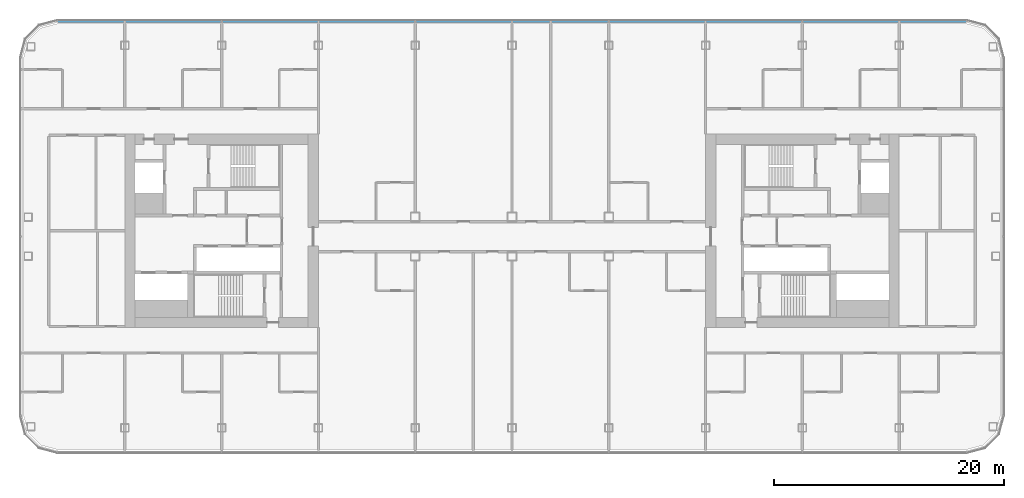
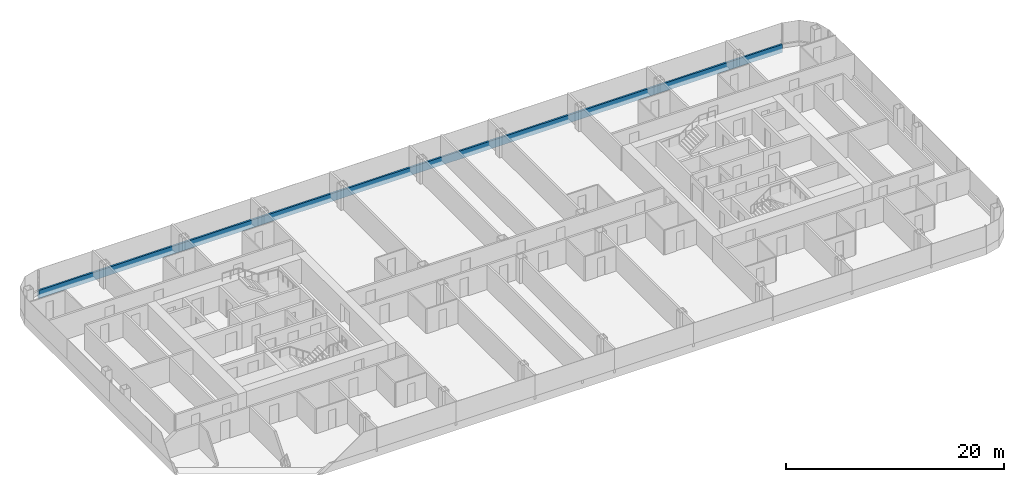
# One storey, part 7 of 26: 1 member, 1 element without a shape of its own.
"""IFC4 building model written with IfcOpenShell, lengths in metres."""

from ifc_helpers import new_model, si_unit, direction, frame, origin, origin_2d, place, context, subcontext, project, spatial, rectangle, extrude, material, layer, layer_set, material_profile, profile_set, type_object, element, aggregate, save


model = new_model("IFC4")

# Units and contexts
model_context = context("Model", 3, precision=1e-05, world=origin(), true_north=direction((0.0, 1.0)))
body_context = subcontext(model_context, "Body", "Model", "MODEL_VIEW")
ifc_project = project(units=[si_unit("LENGTHUNIT", "METRE"), si_unit("AREAUNIT", "SQUARE_METRE"), si_unit("VOLUMEUNIT", "CUBIC_METRE"), si_unit("PLANEANGLEUNIT", "RADIAN"), si_unit("MASSUNIT", "GRAM", prefix="KILO")], contexts=[model_context])

# Site, building, storey
site_placement = place(None, origin())
site = spatial("IfcSite", under=ifc_project, at=site_placement, CompositionType="ELEMENT")
building_placement = place(site_placement, origin())
building = spatial("IfcBuilding", under=site, at=building_placement, Name="Hakoniwa Tower and Hamabe Station Hall", CompositionType="ELEMENT")
storey_placement = place(building_placement, frame((0.0, 0.0, 131.0)))
storey = spatial("IfcBuildingStorey", under=building, at=storey_placement, Name="L36", CompositionType="ELEMENT", Elevation=131.0)

# Curtain wall, member
ifc_material_1 = material(Name="Dark low-e laminated glass", Category="glass")
ifc_layer = layer(ifc_material_1, 0.199951171875)
ifc_layer_set = layer_set([ifc_layer], Name="CW-1 UNITISED GUEST")
curtain_wall_type = type_object("IfcCurtainWallType", Name="CW-1 UNITISED GUEST", PredefinedType="NOTDEFINED", material=ifc_layer_set)
curtain_wall_placement = place(storey_placement, origin())
curtain_wall = element("IfcCurtainWall", 1, at=curtain_wall_placement, inside=storey, type_object=curtain_wall_type, Name="CW-1 curtain wall", PredefinedType="NOTDEFINED")
ifc_material_2 = material(Name="Aluminium 6063-T5 black anodised", Category="aluminium")
ifc_material_profile = material_profile(ifc_material_2, rectangle(XDim=0.199951171875, YDim=0.89990234375, at=origin_2d()), Name="CW SLAB-EDGE BAND 900X200")
ifc_profile_set = profile_set([ifc_material_profile], Name="Aluminium 6063-T5 black anodised")
member_type = type_object("IfcMemberType", Name="CW SLAB-EDGE BAND 900X200", PredefinedType="USERDEFINED", material=ifc_profile_set)
member_placement = place(storey_placement, frame((39.439453125, 18.199951171875, -0.10009765625), z_axis=(-1.0, 0.0, 0.0), x_axis=(0.0, -1.0, 0.0)))
member = element("IfcMember", 2, at=member_placement, type_object=member_type, Name="CW-1 transom", ObjectType="TRANSOM", PredefinedType="USERDEFINED", context=body_context, shape_type="SweptSolid", body=[
    extrude(rectangle(XDim=0.199951171875, YDim=0.89990234375, at=origin_2d()), origin(), (0.0, 0.0, 1.0), 78.87890625),
])
aggregate(curtain_wall, [member])

save(model, "model.ifc")
